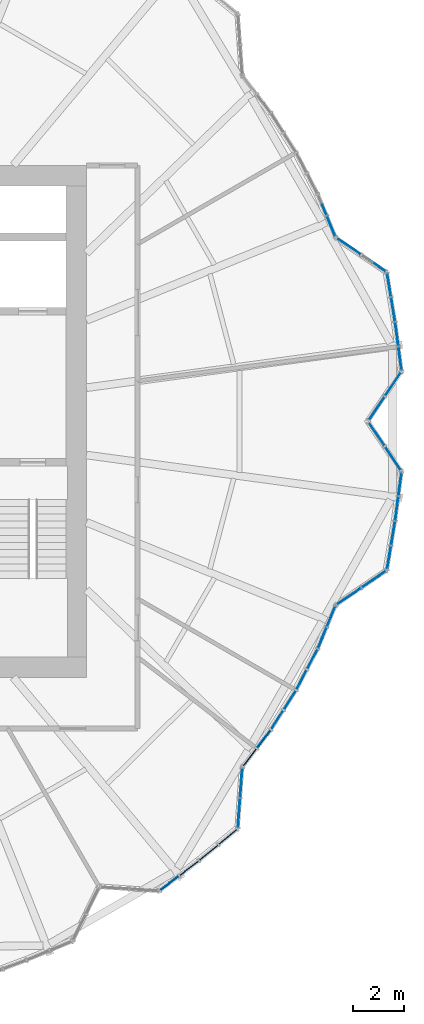
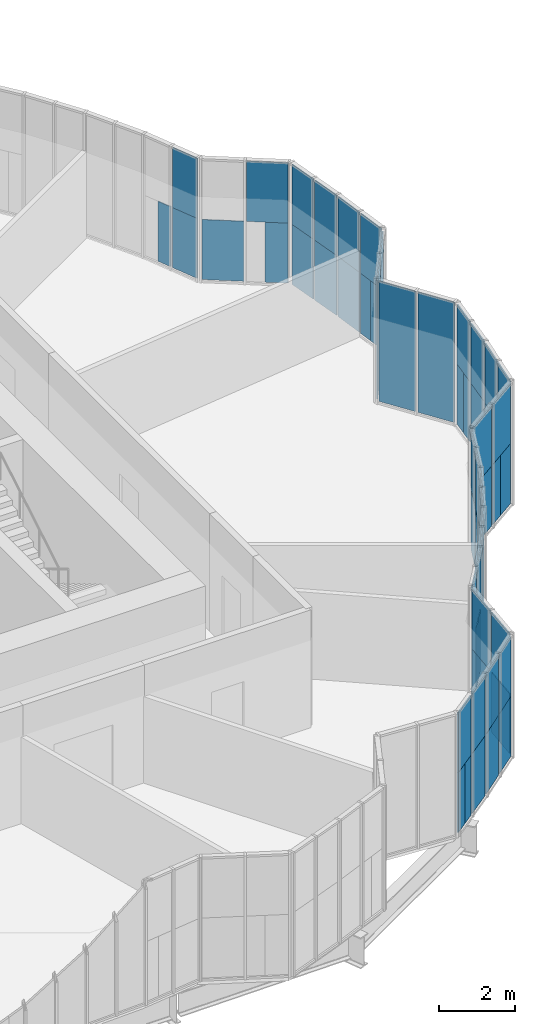
# One storey, part 16 of 22: 61 plates, 16 elements without a shape of their own.
"""IFC4 building model written with IfcOpenShell, lengths in metres."""

from ifc_helpers import new_model, si_unit, direction, frame, origin, origin_2d, place, context, subcontext, project, spatial, rectangle, extrude, material, layer, layer_set, type_object, element, aggregate, save


model = new_model("IFC4")

# Units and contexts
model_context = context("Model", 3, precision=1e-05, world=origin(), true_north=direction((0.0, 1.0)))
body_context = subcontext(model_context, "Body", "Model", "MODEL_VIEW")
ifc_project = project(units=[si_unit("LENGTHUNIT", "METRE"), si_unit("AREAUNIT", "SQUARE_METRE"), si_unit("VOLUMEUNIT", "CUBIC_METRE"), si_unit("PLANEANGLEUNIT", "RADIAN"), si_unit("MASSUNIT", "GRAM", prefix="KILO")], contexts=[model_context])

# Site, building, storey
site_placement = place(None, origin())
site = spatial("IfcSite", under=ifc_project, at=site_placement, CompositionType="ELEMENT")
building_placement = place(site_placement, origin())
building = spatial("IfcBuilding", under=site, at=building_placement, Name="Golbaran Civic Tower", CompositionType="ELEMENT")
storey_placement = place(building_placement, frame((0.0, 0.0, 29.0)))
storey = spatial("IfcBuildingStorey", under=building, at=storey_placement, Name="L06", CompositionType="ELEMENT", Elevation=29.0)

# Curtain wall, plates
ifc_material_1 = material(Name="Aluminium and glass", Category="aluminium")
curtain_wall_type = type_object("IfcCurtainWallType", Name="INNER SKIN CURTAIN WALL", PredefinedType="NOTDEFINED", material=ifc_material_1)
curtain_wall_1_placement = place(storey_placement, origin())
curtain_wall_1 = element("IfcCurtainWall", 1, at=curtain_wall_1_placement, inside=storey, type_object=curtain_wall_type, Name="Inner skin L06 facet 1 CW1", ObjectType="INNER SKIN", PredefinedType="USERDEFINED")
ifc_material_2 = material(Name="Clear insulating glass", Category="glass")
ifc_layer_1 = layer(ifc_material_2, 0.031982421875, Name="Clear insulating glass")
ifc_layer_set_1 = layer_set([ifc_layer_1], Name="Clear insulating glass")
plate_type_1 = type_object("IfcPlateType", Name="INNER SKIN CURTAIN WALL GLAZED PANEL", PredefinedType="CURTAIN_PANEL", material=ifc_layer_set_1)
plate_1_placement = place(storey_placement, frame((21.341064453125, 0.50146484375, 0.06494140625), z_axis=(0.0, 0.0, 1.0), x_axis=(0.556572485348, 0.830799054257, 0.0)))
plate_1 = element("IfcPlate", 2, at=plate_1_placement, type_object=plate_type_1, Name="CW1 panel 1.1", PredefinedType="CURTAIN_PANEL", context=body_context, shape_type="SweptSolid", body=[
    extrude(rectangle(XDim=1.077392578125, YDim=0.031982421875, at=origin_2d()), origin(), (0.0, 0.0, 1.0), 3.8701171875),
])
plate_2_placement = place(storey_placement, frame((21.976806640625, 1.45068359375, 0.06494140625), z_axis=(0.0, 0.0, 1.0), x_axis=(0.556572485348, 0.830799054257, 0.0)))
plate_2 = element("IfcPlate", 3, at=plate_2_placement, type_object=plate_type_1, Name="CW1 panel 2.1", PredefinedType="CURTAIN_PANEL", context=body_context, shape_type="SweptSolid", body=[
    extrude(rectangle(XDim=1.077392578125, YDim=0.031982421875, at=origin_2d()), origin(), (0.0, 0.0, 1.0), 3.8701171875),
])
aggregate(curtain_wall_1, [plate_1, plate_2])

curtain_wall_2_placement = place(storey_placement, origin())
curtain_wall_2 = element("IfcCurtainWall", 4, at=curtain_wall_2_placement, inside=storey, type_object=curtain_wall_type, Name="Inner skin L06 facet 2 CW1", ObjectType="INNER SKIN", PredefinedType="USERDEFINED")
plate_3_placement = place(storey_placement, frame((22.275146484375, 2.237060546875, 0.06494140625), z_axis=(0.0, 0.0, 1.0), x_axis=(-0.130526192289, 0.991444861365, 0.0)))
plate_3 = element("IfcPlate", 5, at=plate_3_placement, type_object=plate_type_1, Name="CW1 panel 1.1 part 1", PredefinedType="CURTAIN_PANEL", context=body_context, shape_type="SweptSolid", body=[
    extrude(rectangle(XDim=0.445068359375, YDim=0.031982421875, at=origin_2d()), origin(), (0.0, 0.0, 1.0), 1.93505859375),
])
plate_4_placement = place(storey_placement, frame((22.246826171875, 2.45263671875, 2.0), z_axis=(0.0, 0.0, 1.0), x_axis=(-0.130526192289, 0.991444861365, 0.0)))
plate_4 = element("IfcPlate", 6, at=plate_4_placement, type_object=plate_type_1, Name="CW1 panel 1.1 part 3", PredefinedType="CURTAIN_PANEL", context=body_context, shape_type="SweptSolid", body=[
    extrude(rectangle(XDim=0.87939453125, YDim=0.031982421875, at=origin_2d()), origin(), (0.0, 0.0, 1.0), 1.93505859375),
])

# Curtain wall, plate
curtain_wall_3_placement = place(storey_placement, origin())
curtain_wall_3 = element("IfcCurtainWall", 7, at=curtain_wall_3_placement, inside=storey, type_object=curtain_wall_type, Name="Inner skin L06 facet 3 CW1", ObjectType="INNER SKIN", PredefinedType="USERDEFINED")
plate_5_placement = place(storey_placement, frame((21.818603515625, 5.32421875, 0.06494140625), z_axis=(0.0, 0.0, 1.0), x_axis=(-0.164414894066, 0.986391272574, 0.0)))
plate_5 = element("IfcPlate", 8, at=plate_5_placement, type_object=plate_type_1, Name="CW1 panel 2.1 part 1", PredefinedType="CURTAIN_PANEL", context=body_context, shape_type="SweptSolid", body=[
    extrude(rectangle(XDim=0.883056640625, YDim=0.031982421875, at=origin_2d()), origin(), (0.0, 0.0, 1.0), 1.93505859375),
])

curtain_wall_4_placement = place(storey_placement, origin())
curtain_wall_4 = element("IfcCurtainWall", 9, at=curtain_wall_4_placement, inside=storey, type_object=curtain_wall_type, Name="Inner skin L06 facet 4 CW1", ObjectType="INNER SKIN", PredefinedType="USERDEFINED")
plate_6_placement = place(storey_placement, frame((21.427734375, 6.033447265625, 0.06494140625), z_axis=(0.0, 0.0, 1.0), x_axis=(-0.826500245316, 0.562936359185, 0.0)))
plate_6 = element("IfcPlate", 10, at=plate_6_placement, type_object=plate_type_1, Name="CW1 panel 1.1 part 1", PredefinedType="CURTAIN_PANEL", context=body_context, shape_type="SweptSolid", body=[
    extrude(rectangle(XDim=0.614013671875, YDim=0.031982421875, at=origin_2d()), origin(), (0.0, 0.0, 1.0), 1.93505859375),
])

# Curtain wall, plates
curtain_wall_5_placement = place(storey_placement, origin())
curtain_wall_5 = element("IfcCurtainWall", 11, at=curtain_wall_5_placement, inside=storey, type_object=curtain_wall_type, Name="Inner skin L06 facet 62 CW1", ObjectType="INNER SKIN", PredefinedType="USERDEFINED")
plate_7_placement = place(storey_placement, frame((13.074951171875, -18.17236328125, 0.06494140625), z_axis=(0.0, 0.0, 1.0), x_axis=(0.793353340408, 0.608761428856, 0.0)))
plate_7 = element("IfcPlate", 12, at=plate_7_placement, type_object=plate_type_1, Name="CW1 panel 1.1 part 1", PredefinedType="CURTAIN_PANEL", context=body_context, shape_type="SweptSolid", body=[
    extrude(rectangle(XDim=0.445068359375, YDim=0.031982421875, at=origin_2d()), origin(), (0.0, 0.0, 1.0), 1.93505859375),
])
plate_8_placement = place(storey_placement, frame((13.247314453125, -18.0400390625, 2.0), z_axis=(0.0, 0.0, 1.0), x_axis=(0.793353340408, 0.608761428856, 0.0)))
plate_8 = element("IfcPlate", 13, at=plate_8_placement, type_object=plate_type_1, Name="CW1 panel 1.1 part 3", PredefinedType="CURTAIN_PANEL", context=body_context, shape_type="SweptSolid", body=[
    extrude(rectangle(XDim=0.87939453125, YDim=0.031982421875, at=origin_2d()), origin(), (0.0, 0.0, 1.0), 1.93505859375),
])

# Curtain wall, plate
curtain_wall_6_placement = place(storey_placement, origin())
curtain_wall_6 = element("IfcCurtainWall", 14, at=curtain_wall_6_placement, inside=storey, type_object=curtain_wall_type, Name="Inner skin L06 facet 63 CW1", ObjectType="INNER SKIN", PredefinedType="USERDEFINED")
plate_9_placement = place(storey_placement, frame((15.520263671875, -16.2333984375, 0.06494140625), z_axis=(0.0, 0.0, 1.0), x_axis=(0.772032452954, 0.63558311147, 0.0)))
plate_9 = element("IfcPlate", 15, at=plate_9_placement, type_object=plate_type_1, Name="CW1 panel 2.1 part 1", PredefinedType="CURTAIN_PANEL", context=body_context, shape_type="SweptSolid", body=[
    extrude(rectangle(XDim=0.883056640625, YDim=0.031982421875, at=origin_2d()), origin(), (0.0, 0.0, 1.0), 1.93505859375),
])

curtain_wall_7_placement = place(storey_placement, origin())
curtain_wall_7 = element("IfcCurtainWall", 16, at=curtain_wall_7_placement, inside=storey, type_object=curtain_wall_type, Name="Inner skin L06 facet 64 CW1", ObjectType="INNER SKIN", PredefinedType="USERDEFINED")
plate_10_placement = place(storey_placement, frame((15.93896484375, -15.540283203125, 0.06494140625), z_axis=(0.0, 0.0, 1.0), x_axis=(0.074267065092, 0.997238388272, 0.0)))
plate_10 = element("IfcPlate", 17, at=plate_10_placement, type_object=plate_type_1, Name="CW1 panel 1.1 part 1", PredefinedType="CURTAIN_PANEL", context=body_context, shape_type="SweptSolid", body=[
    extrude(rectangle(XDim=0.614013671875, YDim=0.031982421875, at=origin_2d()), origin(), (0.0, 0.0, 1.0), 1.93505859375),
])

# Curtain wall, plates
curtain_wall_8_placement = place(storey_placement, origin())
curtain_wall_8 = element("IfcCurtainWall", 18, at=curtain_wall_8_placement, inside=storey, type_object=curtain_wall_type, Name="Inner skin L06 facet 65 CW1", ObjectType="INNER SKIN", PredefinedType="USERDEFINED")
plate_11_placement = place(storey_placement, frame((17.05810546875, -12.2412109375, 0.06494140625), z_axis=(0.0, 0.0, 1.0), x_axis=(0.60876142905, 0.793353340259, 0.0)))
plate_11 = element("IfcPlate", 19, at=plate_11_placement, type_object=plate_type_1, Name="CW1 panel 2.1 part 2", PredefinedType="CURTAIN_PANEL", context=body_context, shape_type="SweptSolid", body=[
    extrude(rectangle(XDim=0.422119140625, YDim=0.031982421875, at=origin_2d()), origin(), (0.0, 0.0, 1.0), 1.93505859375),
])
plate_12_placement = place(storey_placement, frame((16.927490234375, -12.411376953125, 2.0), z_axis=(0.0, 0.0, 1.0), x_axis=(0.60876142905, 0.793353340259, 0.0)))
plate_12 = element("IfcPlate", 20, at=plate_12_placement, type_object=plate_type_1, Name="CW1 panel 2.1 part 3", PredefinedType="CURTAIN_PANEL", context=body_context, shape_type="SweptSolid", body=[
    extrude(rectangle(XDim=0.851318359375, YDim=0.031982421875, at=origin_2d()), origin(), (0.0, 0.0, 1.0), 1.93505859375),
])

curtain_wall_9_placement = place(storey_placement, origin())
curtain_wall_9 = element("IfcCurtainWall", 21, at=curtain_wall_9_placement, inside=storey, type_object=curtain_wall_type, Name="Inner skin L06 facet 66 CW1", ObjectType="INNER SKIN", PredefinedType="USERDEFINED")
plate_13_placement = place(storey_placement, frame((17.452392578125, -11.66162109375, 0.06494140625), z_axis=(0.0, 0.0, 1.0), x_axis=(0.537299608155, 0.843391445935, 0.0)))
plate_13 = element("IfcPlate", 22, at=plate_13_placement, type_object=plate_type_1, Name="CW1 panel 1.1", PredefinedType="CURTAIN_PANEL", context=body_context, shape_type="SweptSolid", body=[
    extrude(rectangle(XDim=0.851318359375, YDim=0.031982421875, at=origin_2d()), origin(), (0.0, 0.0, 1.0), 3.8701171875),
])
plate_14_placement = place(storey_placement, frame((17.94482421875, -10.888916015625, 0.06494140625), z_axis=(0.0, 0.0, 1.0), x_axis=(0.537299608155, 0.843391445935, 0.0)))
plate_14 = element("IfcPlate", 23, at=plate_14_placement, type_object=plate_type_1, Name="CW1 panel 2.1", PredefinedType="CURTAIN_PANEL", context=body_context, shape_type="SweptSolid", body=[
    extrude(rectangle(XDim=0.851318359375, YDim=0.031982421875, at=origin_2d()), origin(), (0.0, 0.0, 1.0), 3.8701171875),
])
aggregate(curtain_wall_9, [plate_13, plate_14])

curtain_wall_10_placement = place(storey_placement, origin())
curtain_wall_10 = element("IfcCurtainWall", 24, at=curtain_wall_10_placement, inside=storey, type_object=curtain_wall_type, Name="Inner skin L06 facet 67 CW1", ObjectType="INNER SKIN", PredefinedType="USERDEFINED")
plate_15_placement = place(storey_placement, frame((18.40234375, -10.09619140625, 0.06494140625), z_axis=(0.0, 0.0, 1.0), x_axis=(0.461748613607, 0.887010832985, 0.0)))
plate_15 = element("IfcPlate", 25, at=plate_15_placement, type_object=plate_type_1, Name="CW1 panel 1.1", PredefinedType="CURTAIN_PANEL", context=body_context, shape_type="SweptSolid", body=[
    extrude(rectangle(XDim=0.851318359375, YDim=0.031982421875, at=origin_2d()), origin(), (0.0, 0.0, 1.0), 3.8701171875),
])
plate_16_placement = place(storey_placement, frame((18.825439453125, -9.283447265625, 0.06494140625), z_axis=(0.0, 0.0, 1.0), x_axis=(0.461748613607, 0.887010832985, 0.0)))
plate_16 = element("IfcPlate", 26, at=plate_16_placement, type_object=plate_type_1, Name="CW1 panel 2.1", PredefinedType="CURTAIN_PANEL", context=body_context, shape_type="SweptSolid", body=[
    extrude(rectangle(XDim=0.851318359375, YDim=0.031982421875, at=origin_2d()), origin(), (0.0, 0.0, 1.0), 3.8701171875),
])
aggregate(curtain_wall_10, [plate_15, plate_16])

curtain_wall_11_placement = place(storey_placement, origin())
curtain_wall_11 = element("IfcCurtainWall", 27, at=curtain_wall_11_placement, inside=storey, type_object=curtain_wall_type, Name="Inner skin L06 facet 68 CW1", ObjectType="INNER SKIN", PredefinedType="USERDEFINED")
plate_17_placement = place(storey_placement, frame((19.130126953125, -8.652099609375, 0.06494140625), z_axis=(0.0, 0.0, 1.0), x_axis=(0.382683432462, 0.923879532471, 0.0)))
plate_17 = element("IfcPlate", 28, at=plate_17_placement, type_object=plate_type_1, Name="CW1 panel 1.1 part 1", PredefinedType="CURTAIN_PANEL", context=body_context, shape_type="SweptSolid", body=[
    extrude(rectangle(XDim=0.422119140625, YDim=0.031982421875, at=origin_2d()), origin(), (0.0, 0.0, 1.0), 1.93505859375),
])
plate_18_placement = place(storey_placement, frame((19.21240234375, -8.453857421875, 2.0), z_axis=(0.0, 0.0, 1.0), x_axis=(0.382683432462, 0.923879532471, 0.0)))
plate_18 = element("IfcPlate", 29, at=plate_18_placement, type_object=plate_type_1, Name="CW1 panel 1.1 part 3", PredefinedType="CURTAIN_PANEL", context=body_context, shape_type="SweptSolid", body=[
    extrude(rectangle(XDim=0.851318359375, YDim=0.031982421875, at=origin_2d()), origin(), (0.0, 0.0, 1.0), 1.93505859375),
])

# Curtain wall, plate
curtain_wall_12_placement = place(storey_placement, origin())
curtain_wall_12 = element("IfcCurtainWall", 30, at=curtain_wall_12_placement, inside=storey, type_object=curtain_wall_type, Name="Inner skin L06 facet 69 CW1", ObjectType="INNER SKIN", PredefinedType="USERDEFINED")
plate_19_placement = place(storey_placement, frame((21.427490234375, -6.033447265625, 0.06494140625), z_axis=(0.0, 0.0, 1.0), x_axis=(0.826500245316, 0.562936359185, 0.0)))
plate_19 = element("IfcPlate", 31, at=plate_19_placement, type_object=plate_type_1, Name="CW1 panel 2.1 part 2", PredefinedType="CURTAIN_PANEL", context=body_context, shape_type="SweptSolid", body=[
    extrude(rectangle(XDim=0.614501953125, YDim=0.031982421875, at=origin_2d()), origin(), (0.0, 0.0, 1.0), 1.93505859375),
])

curtain_wall_13_placement = place(storey_placement, origin())
curtain_wall_13 = element("IfcCurtainWall", 32, at=curtain_wall_13_placement, inside=storey, type_object=curtain_wall_type, Name="Inner skin L06 facet 70 CW1", ObjectType="INNER SKIN", PredefinedType="USERDEFINED")
plate_20_placement = place(storey_placement, frame((21.818603515625, -5.32421875, 0.06494140625), z_axis=(0.0, 0.0, 1.0), x_axis=(0.164414894066, 0.986391272574, 0.0)))
plate_20 = element("IfcPlate", 33, at=plate_20_placement, type_object=plate_type_1, Name="CW1 panel 1.1 part 1", PredefinedType="CURTAIN_PANEL", context=body_context, shape_type="SweptSolid", body=[
    extrude(rectangle(XDim=0.883056640625, YDim=0.031982421875, at=origin_2d()), origin(), (0.0, 0.0, 1.0), 1.93505859375),
])

# Curtain wall, plates
curtain_wall_14_placement = place(storey_placement, origin())
curtain_wall_14 = element("IfcCurtainWall", 34, at=curtain_wall_14_placement, inside=storey, type_object=curtain_wall_type, Name="Inner skin L06 facet 71 CW1", ObjectType="INNER SKIN", PredefinedType="USERDEFINED")
plate_21_placement = place(storey_placement, frame((22.275146484375, -2.2373046875, 0.06494140625), z_axis=(0.0, 0.0, 1.0), x_axis=(0.130526192289, 0.991444861365, 0.0)))
plate_21 = element("IfcPlate", 35, at=plate_21_placement, type_object=plate_type_1, Name="CW1 panel 2.1 part 2", PredefinedType="CURTAIN_PANEL", context=body_context, shape_type="SweptSolid", body=[
    extrude(rectangle(XDim=0.445556640625, YDim=0.031982421875, at=origin_2d()), origin(), (0.0, 0.0, 1.0), 1.93505859375),
])
plate_22_placement = place(storey_placement, frame((22.246826171875, -2.45263671875, 2.0), z_axis=(0.0, 0.0, 1.0), x_axis=(0.130526192289, 0.991444861365, 0.0)))
plate_22 = element("IfcPlate", 36, at=plate_22_placement, type_object=plate_type_1, Name="CW1 panel 2.1 part 3", PredefinedType="CURTAIN_PANEL", context=body_context, shape_type="SweptSolid", body=[
    extrude(rectangle(XDim=0.87939453125, YDim=0.031982421875, at=origin_2d()), origin(), (0.0, 0.0, 1.0), 1.93505859375),
])

curtain_wall_15_placement = place(storey_placement, origin())
curtain_wall_15 = element("IfcCurtainWall", 37, at=curtain_wall_15_placement, inside=storey, type_object=curtain_wall_type, Name="Inner skin L06 facet 72 CW1", ObjectType="INNER SKIN", PredefinedType="USERDEFINED")
plate_23_placement = place(storey_placement, frame((21.976806640625, -1.45068359375, 0.06494140625), z_axis=(0.0, 0.0, 1.0), x_axis=(-0.556572485348, 0.830799054257, 0.0)))
plate_23 = element("IfcPlate", 38, at=plate_23_placement, type_object=plate_type_1, Name="CW1 panel 1.1", PredefinedType="CURTAIN_PANEL", context=body_context, shape_type="SweptSolid", body=[
    extrude(rectangle(XDim=1.077392578125, YDim=0.031982421875, at=origin_2d()), origin(), (0.0, 0.0, 1.0), 3.8701171875),
])
plate_24_placement = place(storey_placement, frame((21.341064453125, -0.50146484375, 0.06494140625), z_axis=(0.0, 0.0, 1.0), x_axis=(-0.556572485348, 0.830799054257, 0.0)))
plate_24 = element("IfcPlate", 39, at=plate_24_placement, type_object=plate_type_1, Name="CW1 panel 2.1", PredefinedType="CURTAIN_PANEL", context=body_context, shape_type="SweptSolid", body=[
    extrude(rectangle(XDim=1.077392578125, YDim=0.031982421875, at=origin_2d()), origin(), (0.0, 0.0, 1.0), 3.8701171875),
])
aggregate(curtain_wall_15, [plate_23, plate_24])

# Plate
ifc_material_3 = material(Name="Aluminium faced opaque infill panel", Category="aluminium")
ifc_layer_2 = layer(ifc_material_3, 0.031982421875, Name="Aluminium faced opaque infill panel")
ifc_layer_set_2 = layer_set([ifc_layer_2], Name="Aluminium faced opaque infill panel")
plate_type_2 = type_object("IfcPlateType", Name="INNER SKIN CURTAIN WALL OPAQUE INFILL PANEL", PredefinedType="CURTAIN_PANEL", material=ifc_layer_set_2)
plate_25_placement = place(storey_placement, frame((22.2177734375, 2.673095703125, 0.06494140625), z_axis=(0.0, 0.0, 1.0), x_axis=(-0.130526192289, 0.991444861365, 0.0)))
plate_25 = element("IfcPlate", 40, at=plate_25_placement, type_object=plate_type_2, Name="CW1 infill panel 1.1 part 2", PredefinedType="CURTAIN_PANEL", context=body_context, shape_type="SweptSolid", body=[
    extrude(rectangle(XDim=0.4345703125, YDim=0.031982421875, at=origin_2d()), origin(), (0.0, 0.0, 1.0), 1.93505859375),
])

plate_26_placement = place(storey_placement, frame((22.12158203125, 3.405029296875, 0.06494140625), z_axis=(0.0, 0.0, 1.0), x_axis=(-0.130526192289, 0.991444861365, 0.0)))
plate_26 = element("IfcPlate", 41, at=plate_26_placement, type_object=plate_type_2, Name="CW1 infill panel 2.1 part 1", PredefinedType="CURTAIN_PANEL", context=body_context, shape_type="SweptSolid", body=[
    extrude(rectangle(XDim=0.911865234375, YDim=0.031982421875, at=origin_2d()), origin(), (0.0, 0.0, 1.0), 1.93505859375),
])

plate_27_placement = place(storey_placement, frame((22.12158203125, 3.405029296875, 2.0), z_axis=(0.0, 0.0, 1.0), x_axis=(-0.130526192289, 0.991444861365, 0.0)))
plate_27 = element("IfcPlate", 42, at=plate_27_placement, type_object=plate_type_2, Name="CW1 infill panel 2.1 part 2", PredefinedType="CURTAIN_PANEL", context=body_context, shape_type="SweptSolid", body=[
    extrude(rectangle(XDim=0.911865234375, YDim=0.031982421875, at=origin_2d()), origin(), (0.0, 0.0, 1.0), 1.93505859375),
])

aggregate(curtain_wall_2, [plate_3, plate_25, plate_4, plate_26, plate_27])

plate_28_placement = place(storey_placement, frame((21.97705078125, 4.373046875, 0.06494140625), z_axis=(0.0, 0.0, 1.0), x_axis=(-0.164414894066, 0.986391272574, 0.0)))
plate_28 = element("IfcPlate", 43, at=plate_28_placement, type_object=plate_type_2, Name="CW1 infill panel 1.1 part 1", PredefinedType="CURTAIN_PANEL", context=body_context, shape_type="SweptSolid", body=[
    extrude(rectangle(XDim=0.91552734375, YDim=0.031982421875, at=origin_2d()), origin(), (0.0, 0.0, 1.0), 1.93505859375),
])

plate_29_placement = place(storey_placement, frame((21.97705078125, 4.373046875, 2.0), z_axis=(0.0, 0.0, 1.0), x_axis=(-0.164414894066, 0.986391272574, 0.0)))
plate_29 = element("IfcPlate", 44, at=plate_29_placement, type_object=plate_type_2, Name="CW1 infill panel 1.1 part 2", PredefinedType="CURTAIN_PANEL", context=body_context, shape_type="SweptSolid", body=[
    extrude(rectangle(XDim=0.91552734375, YDim=0.031982421875, at=origin_2d()), origin(), (0.0, 0.0, 1.0), 1.93505859375),
])

plate_30_placement = place(storey_placement, frame((21.818603515625, 5.32421875, 2.0), z_axis=(0.0, 0.0, 1.0), x_axis=(-0.164414894066, 0.986391272574, 0.0)))
plate_30 = element("IfcPlate", 45, at=plate_30_placement, type_object=plate_type_2, Name="CW1 infill panel 2.1 part 2", PredefinedType="CURTAIN_PANEL", context=body_context, shape_type="SweptSolid", body=[
    extrude(rectangle(XDim=0.883056640625, YDim=0.031982421875, at=origin_2d()), origin(), (0.0, 0.0, 1.0), 1.93505859375),
])

aggregate(curtain_wall_3, [plate_28, plate_29, plate_5, plate_30])

plate_31_placement = place(storey_placement, frame((21.22265625, 6.173095703125, 2.0), z_axis=(0.0, 0.0, 1.0), x_axis=(-0.826500245316, 0.562936359185, 0.0)))
plate_31 = element("IfcPlate", 46, at=plate_31_placement, type_object=plate_type_2, Name="CW1 infill panel 1.1 part 3", PredefinedType="CURTAIN_PANEL", context=body_context, shape_type="SweptSolid", body=[
    extrude(rectangle(XDim=1.110595703125, YDim=0.031982421875, at=origin_2d()), origin(), (0.0, 0.0, 1.0), 1.93505859375),
])

plate_32_placement = place(storey_placement, frame((20.2509765625, 6.8349609375, 0.06494140625), z_axis=(0.0, 0.0, 1.0), x_axis=(-0.826500245316, 0.562936359185, 0.0)))
plate_32 = element("IfcPlate", 47, at=plate_32_placement, type_object=plate_type_2, Name="CW1 infill panel 2.1 part 1", PredefinedType="CURTAIN_PANEL", context=body_context, shape_type="SweptSolid", body=[
    extrude(rectangle(XDim=1.110595703125, YDim=0.031982421875, at=origin_2d()), origin(), (0.0, 0.0, 1.0), 1.93505859375),
])

aggregate(curtain_wall_4, [plate_6, plate_31, plate_32])

# Curtain wall, plates
curtain_wall_16_placement = place(storey_placement, origin())
curtain_wall_16 = element("IfcCurtainWall", 48, at=curtain_wall_16_placement, inside=storey, type_object=curtain_wall_type, Name="Inner skin L06 facet 5 CW1", ObjectType="INNER SKIN", PredefinedType="USERDEFINED")
plate_33_placement = place(storey_placement, frame((19.556640625, 7.622314453125, 0.06494140625), z_axis=(0.0, 0.0, 1.0), x_axis=(-0.382683432462, 0.923879532471, 0.0)))
plate_33 = element("IfcPlate", 49, at=plate_33_placement, type_object=plate_type_2, Name="CW1 infill panel 1.1 part 1", PredefinedType="CURTAIN_PANEL", context=body_context, shape_type="SweptSolid", body=[
    extrude(rectangle(XDim=0.818603515625, YDim=0.031982421875, at=origin_2d()), origin(), (0.0, 0.0, 1.0), 1.93505859375),
])
plate_34_placement = place(storey_placement, frame((19.556640625, 7.622314453125, 2.0), z_axis=(0.0, 0.0, 1.0), x_axis=(-0.382683432462, 0.923879532471, 0.0)))
plate_34 = element("IfcPlate", 50, at=plate_34_placement, type_object=plate_type_2, Name="CW1 infill panel 1.1 part 2", PredefinedType="CURTAIN_PANEL", context=body_context, shape_type="SweptSolid", body=[
    extrude(rectangle(XDim=0.818603515625, YDim=0.031982421875, at=origin_2d()), origin(), (0.0, 0.0, 1.0), 1.93505859375),
])
plate_35_placement = place(storey_placement, frame((19.293212890625, 8.2587890625, 0.06494140625), z_axis=(0.0, 0.0, 1.0), x_axis=(-0.382683432462, 0.923879532471, 0.0)))
plate_35 = element("IfcPlate", 51, at=plate_35_placement, type_object=plate_type_2, Name="CW1 infill panel 2.1 part 1", PredefinedType="CURTAIN_PANEL", context=body_context, shape_type="SweptSolid", body=[
    extrude(rectangle(XDim=0.428955078125, YDim=0.031982421875, at=origin_2d()), origin(), (0.0, 0.0, 1.0), 1.93505859375),
])
aggregate(curtain_wall_16, [plate_33, plate_34, plate_35])

# Plate
plate_36_placement = place(storey_placement, frame((13.423828125, -17.904541015625, 0.06494140625), z_axis=(0.0, 0.0, 1.0), x_axis=(0.793353340408, 0.608761428856, 0.0)))
plate_36 = element("IfcPlate", 52, at=plate_36_placement, type_object=plate_type_2, Name="CW1 infill panel 1.1 part 2", PredefinedType="CURTAIN_PANEL", context=body_context, shape_type="SweptSolid", body=[
    extrude(rectangle(XDim=0.4345703125, YDim=0.031982421875, at=origin_2d()), origin(), (0.0, 0.0, 1.0), 1.93505859375),
])

plate_37_placement = place(storey_placement, frame((14.009521484375, -17.455322265625, 0.06494140625), z_axis=(0.0, 0.0, 1.0), x_axis=(0.793353340408, 0.608761428856, 0.0)))
plate_37 = element("IfcPlate", 53, at=plate_37_placement, type_object=plate_type_2, Name="CW1 infill panel 2.1 part 1", PredefinedType="CURTAIN_PANEL", context=body_context, shape_type="SweptSolid", body=[
    extrude(rectangle(XDim=0.911865234375, YDim=0.031982421875, at=origin_2d()), origin(), (0.0, 0.0, 1.0), 1.93505859375),
])

plate_38_placement = place(storey_placement, frame((14.009521484375, -17.455322265625, 2.0), z_axis=(0.0, 0.0, 1.0), x_axis=(0.793353340408, 0.608761428856, 0.0)))
plate_38 = element("IfcPlate", 54, at=plate_38_placement, type_object=plate_type_2, Name="CW1 infill panel 2.1 part 2", PredefinedType="CURTAIN_PANEL", context=body_context, shape_type="SweptSolid", body=[
    extrude(rectangle(XDim=0.911865234375, YDim=0.031982421875, at=origin_2d()), origin(), (0.0, 0.0, 1.0), 1.93505859375),
])

aggregate(curtain_wall_5, [plate_7, plate_36, plate_8, plate_37, plate_38])

plate_39_placement = place(storey_placement, frame((14.775634765625, -16.84619140625, 0.06494140625), z_axis=(0.0, 0.0, 1.0), x_axis=(0.772032452954, 0.63558311147, 0.0)))
plate_39 = element("IfcPlate", 55, at=plate_39_placement, type_object=plate_type_2, Name="CW1 infill panel 1.1 part 1", PredefinedType="CURTAIN_PANEL", context=body_context, shape_type="SweptSolid", body=[
    extrude(rectangle(XDim=0.91552734375, YDim=0.031982421875, at=origin_2d()), origin(), (0.0, 0.0, 1.0), 1.93505859375),
])

plate_40_placement = place(storey_placement, frame((14.775634765625, -16.84619140625, 2.0), z_axis=(0.0, 0.0, 1.0), x_axis=(0.772032452954, 0.63558311147, 0.0)))
plate_40 = element("IfcPlate", 56, at=plate_40_placement, type_object=plate_type_2, Name="CW1 infill panel 1.1 part 2", PredefinedType="CURTAIN_PANEL", context=body_context, shape_type="SweptSolid", body=[
    extrude(rectangle(XDim=0.91552734375, YDim=0.031982421875, at=origin_2d()), origin(), (0.0, 0.0, 1.0), 1.93505859375),
])

plate_41_placement = place(storey_placement, frame((15.520263671875, -16.2333984375, 2.0), z_axis=(0.0, 0.0, 1.0), x_axis=(0.772032452954, 0.63558311147, 0.0)))
plate_41 = element("IfcPlate", 57, at=plate_41_placement, type_object=plate_type_2, Name="CW1 infill panel 2.1 part 2", PredefinedType="CURTAIN_PANEL", context=body_context, shape_type="SweptSolid", body=[
    extrude(rectangle(XDim=0.883056640625, YDim=0.031982421875, at=origin_2d()), origin(), (0.0, 0.0, 1.0), 1.93505859375),
])

aggregate(curtain_wall_6, [plate_39, plate_40, plate_9, plate_41])

plate_42_placement = place(storey_placement, frame((15.980224609375, -14.986572265625, 0.06494140625), z_axis=(0.0, 0.0, 1.0), x_axis=(0.074267065092, 0.997238388272, 0.0)))
plate_42 = element("IfcPlate", 58, at=plate_42_placement, type_object=plate_type_2, Name="CW1 infill panel 1.1 part 2", PredefinedType="CURTAIN_PANEL", context=body_context, shape_type="SweptSolid", body=[
    extrude(rectangle(XDim=0.49658203125, YDim=0.031982421875, at=origin_2d()), origin(), (0.0, 0.0, 1.0), 1.93505859375),
])

plate_43_placement = place(storey_placement, frame((15.957275390625, -15.292724609375, 2.0), z_axis=(0.0, 0.0, 1.0), x_axis=(0.074267065092, 0.997238388272, 0.0)))
plate_43 = element("IfcPlate", 59, at=plate_43_placement, type_object=plate_type_2, Name="CW1 infill panel 1.1 part 3", PredefinedType="CURTAIN_PANEL", context=body_context, shape_type="SweptSolid", body=[
    extrude(rectangle(XDim=1.110595703125, YDim=0.031982421875, at=origin_2d()), origin(), (0.0, 0.0, 1.0), 1.93505859375),
])

plate_44_placement = place(storey_placement, frame((16.044677734375, -14.120361328125, 0.06494140625), z_axis=(0.0, 0.0, 1.0), x_axis=(0.074267065092, 0.997238388272, 0.0)))
plate_44 = element("IfcPlate", 60, at=plate_44_placement, type_object=plate_type_2, Name="CW1 infill panel 2.1 part 1", PredefinedType="CURTAIN_PANEL", context=body_context, shape_type="SweptSolid", body=[
    extrude(rectangle(XDim=1.110595703125, YDim=0.031982421875, at=origin_2d()), origin(), (0.0, 0.0, 1.0), 1.93505859375),
])

plate_45_placement = place(storey_placement, frame((16.044677734375, -14.120361328125, 2.0), z_axis=(0.0, 0.0, 1.0), x_axis=(0.074267065092, 0.997238388272, 0.0)))
plate_45 = element("IfcPlate", 61, at=plate_45_placement, type_object=plate_type_2, Name="CW1 infill panel 2.1 part 2", PredefinedType="CURTAIN_PANEL", context=body_context, shape_type="SweptSolid", body=[
    extrude(rectangle(XDim=1.110595703125, YDim=0.031982421875, at=origin_2d()), origin(), (0.0, 0.0, 1.0), 1.93505859375),
])

aggregate(curtain_wall_7, [plate_10, plate_42, plate_43, plate_44, plate_45])

plate_46_placement = place(storey_placement, frame((16.379638671875, -13.12548828125, 0.06494140625), z_axis=(0.0, 0.0, 1.0), x_axis=(0.60876142905, 0.793353340259, 0.0)))
plate_46 = element("IfcPlate", 62, at=plate_46_placement, type_object=plate_type_2, Name="CW1 infill panel 1.1 part 1", PredefinedType="CURTAIN_PANEL", context=body_context, shape_type="SweptSolid", body=[
    extrude(rectangle(XDim=0.818603515625, YDim=0.031982421875, at=origin_2d()), origin(), (0.0, 0.0, 1.0), 1.93505859375),
])

plate_47_placement = place(storey_placement, frame((16.379638671875, -13.12548828125, 2.0), z_axis=(0.0, 0.0, 1.0), x_axis=(0.60876142905, 0.793353340259, 0.0)))
plate_47 = element("IfcPlate", 63, at=plate_47_placement, type_object=plate_type_2, Name="CW1 infill panel 1.1 part 2", PredefinedType="CURTAIN_PANEL", context=body_context, shape_type="SweptSolid", body=[
    extrude(rectangle(XDim=0.818603515625, YDim=0.031982421875, at=origin_2d()), origin(), (0.0, 0.0, 1.0), 1.93505859375),
])

plate_48_placement = place(storey_placement, frame((16.798828125, -12.578857421875, 0.06494140625), z_axis=(0.0, 0.0, 1.0), x_axis=(0.60876142905, 0.793353340259, 0.0)))
plate_48 = element("IfcPlate", 64, at=plate_48_placement, type_object=plate_type_2, Name="CW1 infill panel 2.1 part 1", PredefinedType="CURTAIN_PANEL", context=body_context, shape_type="SweptSolid", body=[
    extrude(rectangle(XDim=0.428955078125, YDim=0.031982421875, at=origin_2d()), origin(), (0.0, 0.0, 1.0), 1.93505859375),
])

aggregate(curtain_wall_8, [plate_46, plate_47, plate_48, plate_11, plate_12])

plate_49_placement = place(storey_placement, frame((19.29296875, -8.259033203125, 0.06494140625), z_axis=(0.0, 0.0, 1.0), x_axis=(0.382683432462, 0.923879532471, 0.0)))
plate_49 = element("IfcPlate", 65, at=plate_49_placement, type_object=plate_type_2, Name="CW1 infill panel 1.1 part 2", PredefinedType="CURTAIN_PANEL", context=body_context, shape_type="SweptSolid", body=[
    extrude(rectangle(XDim=0.42919921875, YDim=0.031982421875, at=origin_2d()), origin(), (0.0, 0.0, 1.0), 1.93505859375),
])

plate_50_placement = place(storey_placement, frame((19.556640625, -7.622314453125, 0.06494140625), z_axis=(0.0, 0.0, 1.0), x_axis=(0.382683432462, 0.923879532471, 0.0)))
plate_50 = element("IfcPlate", 66, at=plate_50_placement, type_object=plate_type_2, Name="CW1 infill panel 2.1 part 1", PredefinedType="CURTAIN_PANEL", context=body_context, shape_type="SweptSolid", body=[
    extrude(rectangle(XDim=0.818603515625, YDim=0.031982421875, at=origin_2d()), origin(), (0.0, 0.0, 1.0), 1.93505859375),
])

plate_51_placement = place(storey_placement, frame((19.556640625, -7.622314453125, 2.0), z_axis=(0.0, 0.0, 1.0), x_axis=(0.382683432462, 0.923879532471, 0.0)))
plate_51 = element("IfcPlate", 67, at=plate_51_placement, type_object=plate_type_2, Name="CW1 infill panel 2.1 part 2", PredefinedType="CURTAIN_PANEL", context=body_context, shape_type="SweptSolid", body=[
    extrude(rectangle(XDim=0.818603515625, YDim=0.031982421875, at=origin_2d()), origin(), (0.0, 0.0, 1.0), 1.93505859375),
])

aggregate(curtain_wall_11, [plate_17, plate_49, plate_18, plate_50, plate_51])

plate_52_placement = place(storey_placement, frame((20.2509765625, -6.8349609375, 0.06494140625), z_axis=(0.0, 0.0, 1.0), x_axis=(0.826500245316, 0.562936359185, 0.0)))
plate_52 = element("IfcPlate", 68, at=plate_52_placement, type_object=plate_type_2, Name="CW1 infill panel 1.1 part 1", PredefinedType="CURTAIN_PANEL", context=body_context, shape_type="SweptSolid", body=[
    extrude(rectangle(XDim=1.110595703125, YDim=0.031982421875, at=origin_2d()), origin(), (0.0, 0.0, 1.0), 1.93505859375),
])

plate_53_placement = place(storey_placement, frame((20.2509765625, -6.8349609375, 2.0), z_axis=(0.0, 0.0, 1.0), x_axis=(0.826500245316, 0.562936359185, 0.0)))
plate_53 = element("IfcPlate", 69, at=plate_53_placement, type_object=plate_type_2, Name="CW1 infill panel 1.1 part 2", PredefinedType="CURTAIN_PANEL", context=body_context, shape_type="SweptSolid", body=[
    extrude(rectangle(XDim=1.110595703125, YDim=0.031982421875, at=origin_2d()), origin(), (0.0, 0.0, 1.0), 1.93505859375),
])

plate_54_placement = place(storey_placement, frame((20.968505859375, -6.34619140625, 0.06494140625), z_axis=(0.0, 0.0, 1.0), x_axis=(0.826500245316, 0.562936359185, 0.0)))
plate_54 = element("IfcPlate", 70, at=plate_54_placement, type_object=plate_type_2, Name="CW1 infill panel 2.1 part 1", PredefinedType="CURTAIN_PANEL", context=body_context, shape_type="SweptSolid", body=[
    extrude(rectangle(XDim=0.49609375, YDim=0.031982421875, at=origin_2d()), origin(), (0.0, 0.0, 1.0), 1.93505859375),
])

plate_55_placement = place(storey_placement, frame((21.22265625, -6.173095703125, 2.0), z_axis=(0.0, 0.0, 1.0), x_axis=(0.826500245316, 0.562936359185, 0.0)))
plate_55 = element("IfcPlate", 71, at=plate_55_placement, type_object=plate_type_2, Name="CW1 infill panel 2.1 part 3", PredefinedType="CURTAIN_PANEL", context=body_context, shape_type="SweptSolid", body=[
    extrude(rectangle(XDim=1.110595703125, YDim=0.031982421875, at=origin_2d()), origin(), (0.0, 0.0, 1.0), 1.93505859375),
])

aggregate(curtain_wall_12, [plate_52, plate_53, plate_54, plate_19, plate_55])

plate_56_placement = place(storey_placement, frame((21.818603515625, -5.32421875, 2.0), z_axis=(0.0, 0.0, 1.0), x_axis=(0.164414894066, 0.986391272574, 0.0)))
plate_56 = element("IfcPlate", 72, at=plate_56_placement, type_object=plate_type_2, Name="CW1 infill panel 1.1 part 2", PredefinedType="CURTAIN_PANEL", context=body_context, shape_type="SweptSolid", body=[
    extrude(rectangle(XDim=0.883056640625, YDim=0.031982421875, at=origin_2d()), origin(), (0.0, 0.0, 1.0), 1.93505859375),
])

plate_57_placement = place(storey_placement, frame((21.97705078125, -4.373046875, 0.06494140625), z_axis=(0.0, 0.0, 1.0), x_axis=(0.164414894066, 0.986391272574, 0.0)))
plate_57 = element("IfcPlate", 73, at=plate_57_placement, type_object=plate_type_2, Name="CW1 infill panel 2.1 part 1", PredefinedType="CURTAIN_PANEL", context=body_context, shape_type="SweptSolid", body=[
    extrude(rectangle(XDim=0.91552734375, YDim=0.031982421875, at=origin_2d()), origin(), (0.0, 0.0, 1.0), 1.93505859375),
])

plate_58_placement = place(storey_placement, frame((21.97705078125, -4.373046875, 2.0), z_axis=(0.0, 0.0, 1.0), x_axis=(0.164414894066, 0.986391272574, 0.0)))
plate_58 = element("IfcPlate", 74, at=plate_58_placement, type_object=plate_type_2, Name="CW1 infill panel 2.1 part 2", PredefinedType="CURTAIN_PANEL", context=body_context, shape_type="SweptSolid", body=[
    extrude(rectangle(XDim=0.91552734375, YDim=0.031982421875, at=origin_2d()), origin(), (0.0, 0.0, 1.0), 1.93505859375),
])

aggregate(curtain_wall_13, [plate_20, plate_56, plate_57, plate_58])

plate_59_placement = place(storey_placement, frame((22.12158203125, -3.405029296875, 0.06494140625), z_axis=(0.0, 0.0, 1.0), x_axis=(0.130526192289, 0.991444861365, 0.0)))
plate_59 = element("IfcPlate", 75, at=plate_59_placement, type_object=plate_type_2, Name="CW1 infill panel 1.1 part 1", PredefinedType="CURTAIN_PANEL", context=body_context, shape_type="SweptSolid", body=[
    extrude(rectangle(XDim=0.911865234375, YDim=0.031982421875, at=origin_2d()), origin(), (0.0, 0.0, 1.0), 1.93505859375),
])

plate_60_placement = place(storey_placement, frame((22.12158203125, -3.405029296875, 2.0), z_axis=(0.0, 0.0, 1.0), x_axis=(0.130526192289, 0.991444861365, 0.0)))
plate_60 = element("IfcPlate", 76, at=plate_60_placement, type_object=plate_type_2, Name="CW1 infill panel 1.1 part 2", PredefinedType="CURTAIN_PANEL", context=body_context, shape_type="SweptSolid", body=[
    extrude(rectangle(XDim=0.911865234375, YDim=0.031982421875, at=origin_2d()), origin(), (0.0, 0.0, 1.0), 1.93505859375),
])

plate_61_placement = place(storey_placement, frame((22.2177734375, -2.67333984375, 0.06494140625), z_axis=(0.0, 0.0, 1.0), x_axis=(0.130526192289, 0.991444861365, 0.0)))
plate_61 = element("IfcPlate", 77, at=plate_61_placement, type_object=plate_type_2, Name="CW1 infill panel 2.1 part 1", PredefinedType="CURTAIN_PANEL", context=body_context, shape_type="SweptSolid", body=[
    extrude(rectangle(XDim=0.43408203125, YDim=0.031982421875, at=origin_2d()), origin(), (0.0, 0.0, 1.0), 1.93505859375),
])

aggregate(curtain_wall_14, [plate_59, plate_60, plate_61, plate_21, plate_22])

save(model, "model.ifc")
